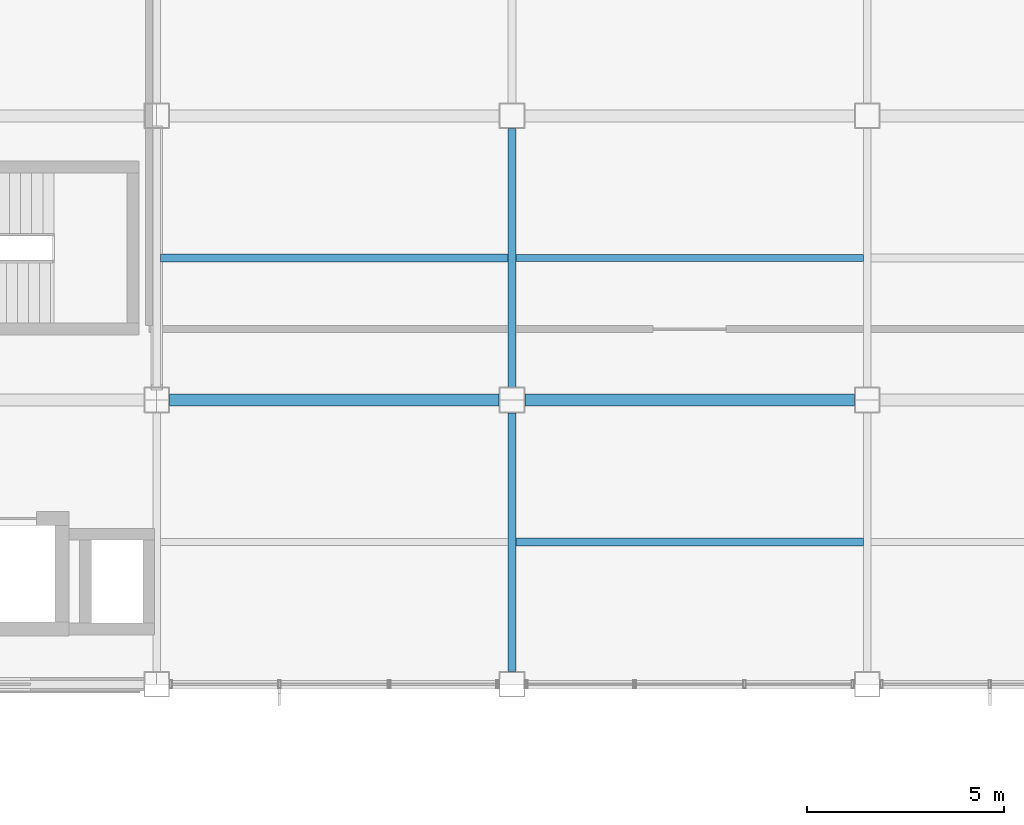
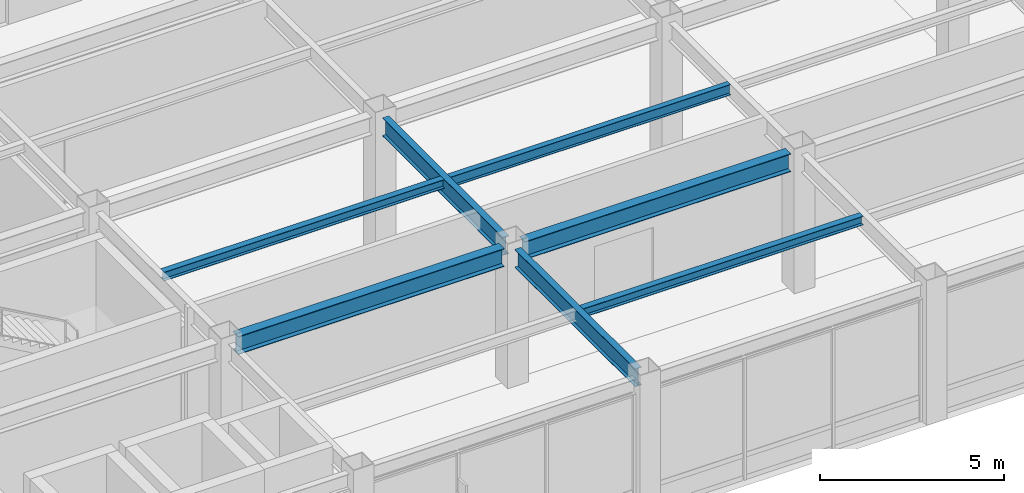
# One storey, part 59 of 112: 7 beams.
"""IFC4 building model written with IfcOpenShell, lengths in metres."""

from ifc_helpers import new_model, si_unit, direction, frame, origin, origin_2d, place, context, subcontext, project, spatial, i_section, extrude, material, material_profile, profile_set, type_object, element, save


model = new_model("IFC4")

# Units and contexts
model_context = context("Model", 3, precision=1e-05, world=origin(), true_north=direction((0.0, 1.0)))
body_context = subcontext(model_context, "Body", "Model", "MODEL_VIEW")
ifc_project = project(units=[si_unit("LENGTHUNIT", "METRE"), si_unit("AREAUNIT", "SQUARE_METRE"), si_unit("VOLUMEUNIT", "CUBIC_METRE"), si_unit("PLANEANGLEUNIT", "RADIAN"), si_unit("MASSUNIT", "GRAM", prefix="KILO")], contexts=[model_context])

# Site, building, storey
site_placement = place(None, origin())
site = spatial("IfcSite", under=ifc_project, at=site_placement, CompositionType="ELEMENT")
building_placement = place(site_placement, origin())
building = spatial("IfcBuilding", under=site, at=building_placement, Name="Kazanami Central Library", CompositionType="ELEMENT")
storey_placement = place(building_placement, origin())
storey = spatial("IfcBuildingStorey", under=building, at=storey_placement, Name="L01", CompositionType="ELEMENT", Elevation=0.0)

# Beams
ifc_material_1 = material(Name="Steel SN400B (235 MPa)", Category="steel")
ifc_material_profile_1 = material_profile(ifc_material_1, i_section(OverallWidth=0.175048828125, OverallDepth=0.35009765625, WebThickness=0.007080078125, FlangeThickness=0.010986328125, at=origin_2d()), Name="H-350x175x7x11")
ifc_profile_set_1 = profile_set([ifc_material_profile_1], Name="Steel SN400B (235 MPa)")
beam_type_1 = type_object("IfcBeamType", Name="BM-B-S2", PredefinedType="JOIST", material=ifc_profile_set_1)
beam_placement = place(storey_placement, frame((72.097900390625, 75.60009765625, 4.3798828125), z_axis=(1.0, 0.0, 0.0), x_axis=(0.0, 1.0, 0.0)))
element("IfcBeam", 1, at=beam_placement, inside=storey, type_object=beam_type_1, Name="Composite Secondary Joist B-S2 L01 Bay 9/L.1", PredefinedType="JOIST", context=body_context, shape_type="SweptSolid", body=[
    extrude(i_section(OverallWidth=0.175048828125, OverallDepth=0.35009765625, WebThickness=0.007080078125, FlangeThickness=0.010986328125, at=origin_2d()), origin(), (0.0, 0.0, 1.0), 8.80419921875),
])
ifc_material_profile_2 = material_profile(ifc_material_1, i_section(OverallWidth=0.199951171875, OverallDepth=0.2939453125, WebThickness=0.008056640625, FlangeThickness=0.011962890625, at=origin_2d()), Name="H-294x200x8x12")
ifc_profile_set_2 = profile_set([ifc_material_profile_2], Name="Steel SN400B (235 MPa)")
beam_type_2 = type_object("IfcBeamType", Name="BM-B-S5", PredefinedType="JOIST", material=ifc_profile_set_2)
for number, where, z_axis, x_axis, name in (
    (2, (63.097900390625, 75.60009765625, 4.407958984375), (1.0, 0.0, 0.0), (0.0, 1.0, 0.0), "Composite Secondary Joist B-S5 L01 Bay 8/L.1"),
    (3, (72.097900390625, 68.39990234375, 4.407958984375), (1.0, 0.0, 0.0), (0.0, 1.0, 0.0), "Composite Secondary Joist B-S5 L01 Bay 9/K.1"),
):
    element("IfcBeam", number, at=place(storey_placement, frame(where, z_axis=z_axis, x_axis=x_axis)), inside=storey, type_object=beam_type_2, Name=name, PredefinedType="JOIST", context=body_context, shape_type="SweptSolid", body=[
        extrude(i_section(OverallWidth=0.199951171875, OverallDepth=0.2939453125, WebThickness=0.008056640625, FlangeThickness=0.011962890625, at=origin_2d()), origin(), (0.0, 0.0, 1.0), 8.80419921875),
    ])
ifc_material_2 = material(Name="Steel SN490B (325 MPa)", Category="steel")
ifc_material_profile_3 = material_profile(ifc_material_2, i_section(OverallWidth=0.300048828125, OverallDepth=0.60009765625, WebThickness=0.011962890625, FlangeThickness=0.02001953125, at=origin_2d()), Name="H-600x300x12x20")
ifc_profile_set_3 = profile_set([ifc_material_profile_3], Name="Steel SN490B (325 MPa)")
beam_type_3 = type_object("IfcBeamType", Name="BM-G-X1", PredefinedType="BEAM", material=ifc_profile_set_3)
for number, where, z_axis, x_axis, name in (
    (4, (63.322998046875, 72.0, 4.2548828125), (1.0, 0.0, 0.0), (0.0, 1.0, 0.0), "Girder G-X1 L01 L/8-9"),
    (5, (72.322998046875, 72.0, 4.2548828125), (1.0, 0.0, 0.0), (0.0, 1.0, 0.0), "Girder G-X1 L01 L/9-10"),
):
    element("IfcBeam", number, at=place(storey_placement, frame(where, z_axis=z_axis, x_axis=x_axis)), inside=storey, type_object=beam_type_3, Name=name, PredefinedType="BEAM", context=body_context, shape_type="SweptSolid", body=[
        extrude(i_section(OverallWidth=0.300048828125, OverallDepth=0.60009765625, WebThickness=0.011962890625, FlangeThickness=0.02001953125, at=origin_2d()), origin(), (0.0, 0.0, 1.0), 8.35400390625),
    ])
ifc_material_profile_4 = material_profile(ifc_material_2, i_section(OverallWidth=0.199951171875, OverallDepth=0.60009765625, WebThickness=0.010986328125, FlangeThickness=0.01708984375, at=origin_2d()), Name="H-600x200x11x17")
ifc_profile_set_4 = profile_set([ifc_material_profile_4], Name="Steel SN490B (325 MPa)")
beam_type_4 = type_object("IfcBeamType", Name="BM-G-Y1", PredefinedType="BEAM", material=ifc_profile_set_4)
for number, where, z_axis, x_axis, name in (
    (6, (72.0, 65.123046875, 4.2548828125), (0.0, 1.0, 0.0), (-1.0, 0.0, 0.0), "Girder G-Y1 L01 9/K-L"),
    (7, (72.0, 72.322998046875, 4.2548828125), (0.0, 1.0, 0.0), (-1.0, 0.0, 0.0), "Girder G-Y1 L01 9/L-M"),
):
    element("IfcBeam", number, at=place(storey_placement, frame(where, z_axis=z_axis, x_axis=x_axis)), inside=storey, type_object=beam_type_4, Name=name, PredefinedType="BEAM", context=body_context, shape_type="SweptSolid", body=[
        extrude(i_section(OverallWidth=0.199951171875, OverallDepth=0.60009765625, WebThickness=0.010986328125, FlangeThickness=0.01708984375, at=origin_2d()), origin(), (0.0, 0.0, 1.0), 6.553955078125),
    ])

save(model, "model.ifc")
